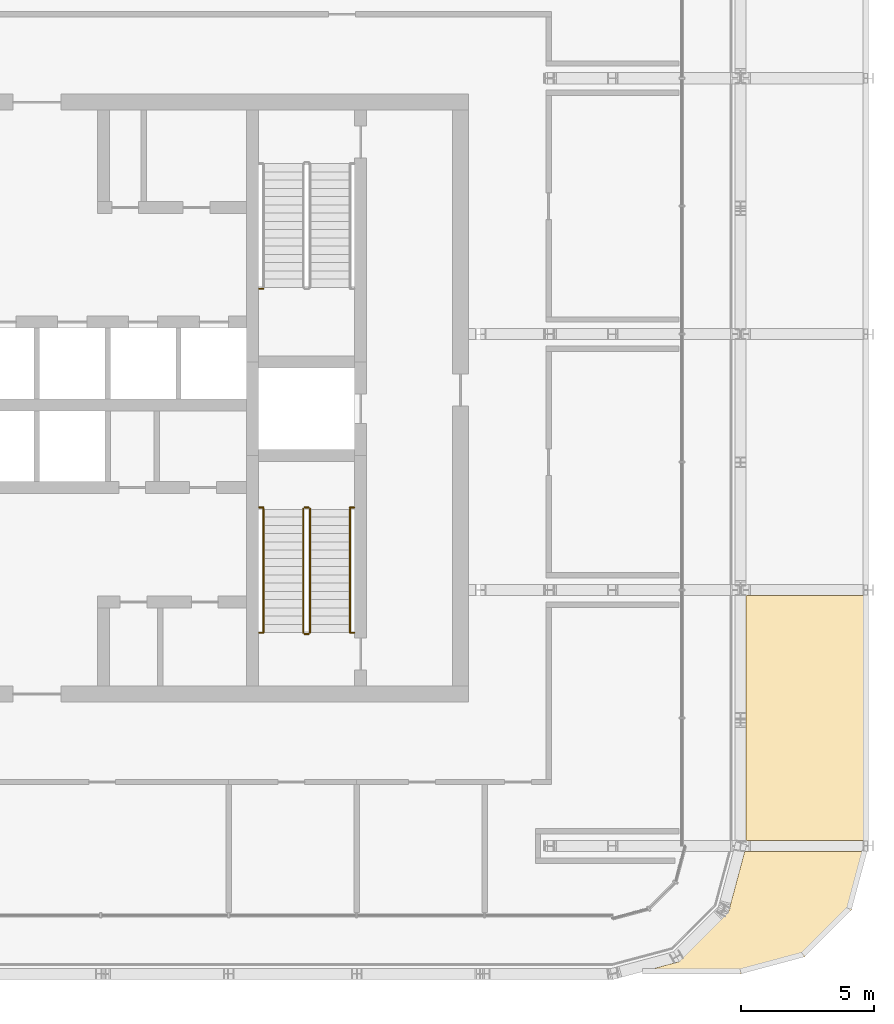
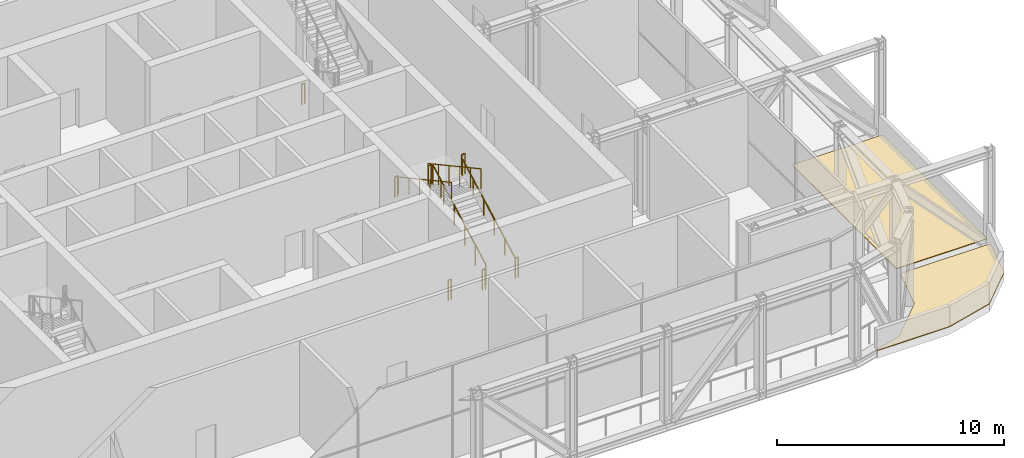
# One storey, part 24 of 26: 11 railings, 2 coverings.
"""IFC4 building model written with IfcOpenShell, lengths in metres."""

from ifc_helpers import new_model, si_unit, direction, frame, origin, origin_2d, place, context, subcontext, project, spatial, polyline, circle, outline, extrude, material, layer, layer_set, type_object, element, save


model = new_model("IFC4")

# Units and contexts
model_context = context("Model", 3, precision=1e-05, world=origin(), true_north=direction((0.0, 1.0)))
body_context = subcontext(model_context, "Body", "Model", "MODEL_VIEW")
ifc_project = project(units=[si_unit("LENGTHUNIT", "METRE"), si_unit("AREAUNIT", "SQUARE_METRE"), si_unit("VOLUMEUNIT", "CUBIC_METRE"), si_unit("PLANEANGLEUNIT", "RADIAN"), si_unit("MASSUNIT", "GRAM", prefix="KILO")], contexts=[model_context])

# Site, building, storey
site_placement = place(None, origin())
site = spatial("IfcSite", under=ifc_project, at=site_placement, CompositionType="ELEMENT")
building_placement = place(site_placement, origin())
building = spatial("IfcBuilding", under=site, at=building_placement, Name="Madar Terraces", CompositionType="ELEMENT")
storey_placement = place(building_placement, frame((0.0, 0.0, 233.300048828125)))
storey = spatial("IfcBuildingStorey", under=building, at=storey_placement, Name="L61", CompositionType="ELEMENT", Elevation=233.300048828125)

# Railings
ifc_material_1 = material(Name="Stainless steel railing", Category="steel")
railing_type_1 = type_object("IfcRailingType", Name="Stair guard 1100", PredefinedType="GUARDRAIL", material=ifc_material_1)
railing_1_placement = place(storey_placement, frame((41.449951171875, 17.60009765625, 0.168701171875)))
element("IfcRailing", 1, at=railing_1_placement, inside=storey, type_object=railing_type_1, Name="L61 ST3 stair guard 1", PredefinedType="GUARDRAIL", context=body_context, shape_type="SweptSolid", body=[
    extrude(circle(Radius=0.02392578125, at=origin_2d()), frame((0.0, 0.0, 1.076171875), z_axis=(0.0, 0.878297076953, 0.478115304728), x_axis=(-1.0, 0.0, 0.0)), (0.0, 0.0, 1.0), 5.294189453125),
    extrude(circle(Radius=0.02099609375, at=origin_2d()), origin(), (0.0, 0.0, 1.0), 1.052001953125),
    extrude(circle(Radius=0.02099609375, at=origin_2d()), frame((0.0, 0.929931640625, 0.50634765625)), (0.0, 0.0, 1.0), 1.052001953125),
    extrude(circle(Radius=0.02099609375, at=origin_2d()), frame((0.0, 1.85986328125, 1.012451171875)), (0.0, 0.0, 1.0), 1.052001953125),
    extrude(circle(Radius=0.02099609375, at=origin_2d()), frame((0.0, 2.7900390625, 1.518798828125)), (0.0, 0.0, 1.0), 1.052001953125),
    extrude(circle(Radius=0.02099609375, at=origin_2d()), frame((0.0, 3.719970703125, 2.02490234375)), (0.0, 0.0, 1.0), 1.052001953125),
    extrude(circle(Radius=0.02099609375, at=origin_2d()), frame((0.0, 4.64990234375, 2.53125)), (0.0, 0.0, 1.0), 1.052001953125),
])
railing_2_placement = place(storey_placement, frame((41.39990234375, 22.300048828125, 2.699951171875)))
element("IfcRailing", 2, at=railing_2_placement, inside=storey, type_object=railing_type_1, Name="L61 ST3 stair guard 2", PredefinedType="GUARDRAIL", context=body_context, shape_type="SweptSolid", body=[
    extrude(circle(Radius=0.02392578125, at=origin_2d()), frame((0.0, 0.0, 1.076171875), z_axis=(-1.0, 0.0, 0.0), x_axis=(0.0, -1.0, 0.0)), (0.0, 0.0, 1.0), 0.14990234375),
    extrude(circle(Radius=0.02099609375, at=origin_2d()), origin(), (0.0, 0.0, 1.0), 1.052001953125),
    extrude(circle(Radius=0.02099609375, at=origin_2d()), frame((-0.14990234375, 0.0, 0.0)), (0.0, 0.0, 1.0), 1.052001953125),
])
railing_3_placement = place(storey_placement, frame((41.199951171875, 22.25, 2.86865234375)))
element("IfcRailing", 3, at=railing_3_placement, inside=storey, type_object=railing_type_1, Name="L61 ST3 stair guard 3", PredefinedType="GUARDRAIL", context=body_context, shape_type="SweptSolid", body=[
    extrude(circle(Radius=0.02392578125, at=origin_2d()), frame((0.0, 0.0, 1.076171875), z_axis=(0.0, -0.878297076953, 0.478115304728), x_axis=(1.0, 0.0, 0.0)), (0.0, 0.0, 1.0), 5.294189453125),
    extrude(circle(Radius=0.02099609375, at=origin_2d()), origin(), (0.0, 0.0, 1.0), 1.052001953125),
    extrude(circle(Radius=0.02099609375, at=origin_2d()), frame((0.0, -0.929931640625, 0.50634765625)), (0.0, 0.0, 1.0), 1.052001953125),
    extrude(circle(Radius=0.02099609375, at=origin_2d()), frame((0.0, -1.85986328125, 1.012451171875)), (0.0, 0.0, 1.0), 1.052001953125),
    extrude(circle(Radius=0.02099609375, at=origin_2d()), frame((0.0, -2.7900390625, 1.518798828125)), (0.0, 0.0, 1.0), 1.052001953125),
    extrude(circle(Radius=0.02099609375, at=origin_2d()), frame((0.0, -3.719970703125, 2.02490234375)), (0.0, 0.0, 1.0), 1.052001953125),
    extrude(circle(Radius=0.02099609375, at=origin_2d()), frame((0.0, -4.64990234375, 2.53125)), (0.0, 0.0, 1.0), 1.052001953125),
])
railing_4_placement = place(storey_placement, frame((41.39990234375, 17.550048828125, 0.0)))
element("IfcRailing", 4, at=railing_4_placement, inside=storey, type_object=railing_type_1, Name="L61 ST3 stair guard 4", PredefinedType="GUARDRAIL", context=body_context, shape_type="SweptSolid", body=[
    extrude(circle(Radius=0.02392578125, at=origin_2d()), frame((0.0, 0.0, 1.076171875), z_axis=(-1.0, 0.0, 0.0), x_axis=(0.0, -1.0, 0.0)), (0.0, 0.0, 1.0), 0.14990234375),
    extrude(circle(Radius=0.02099609375, at=origin_2d()), origin(), (0.0, 0.0, 1.0), 1.052001953125),
    extrude(circle(Radius=0.02099609375, at=origin_2d()), frame((-0.14990234375, 0.0, 0.0)), (0.0, 0.0, 1.0), 1.052001953125),
])
for number, where, name in (
    (5, (39.544921875, 30.5, 2.699951171875), "L61 stair guard seat 1"),
    (6, (39.544921875, 22.300048828125, 2.699951171875), "L61 stair guard seat 1"),
    (7, (42.949951171875, 22.300048828125, 2.699951171875), "L61 stair guard seat 2"),
    (8, (39.544921875, 17.60009765625, 0.0), "L61 stair guard floor 1"),
    (9, (42.949951171875, 17.60009765625, 0.0), "L61 stair guard floor 2"),
):
    element("IfcRailing", number, at=place(storey_placement, frame(where)), inside=storey, type_object=railing_type_1, Name=name, PredefinedType="GUARDRAIL", context=body_context, shape_type="SweptSolid", body=[
        extrude(circle(Radius=0.02392578125, at=origin_2d()), frame((0.0, 0.0, 1.076171875), z_axis=(1.0, 0.0, 0.0), x_axis=(0.0, 1.0, 0.0)), (0.0, 0.0, 1.0), 0.155029296875),
        extrude(circle(Radius=0.02099609375, at=origin_2d()), origin(), (0.0, 0.0, 1.0), 1.052001953125),
        extrude(circle(Radius=0.02099609375, at=origin_2d()), frame((0.155029296875, 0.0, 0.0)), (0.0, 0.0, 1.0), 1.052001953125),
    ])
ifc_material_2 = material(Name="Stainless steel railing", Category="steel")
railing_type_2 = type_object("IfcRailingType", Name="Stair handrail 900", PredefinedType="HANDRAIL", material=ifc_material_2)
railing_5_placement = place(storey_placement, frame((42.949951171875, 17.60009765625, 0.168701171875)))
element("IfcRailing", 10, at=railing_5_placement, inside=storey, type_object=railing_type_2, Name="L61 ST3 stair handrail 1", PredefinedType="HANDRAIL", context=body_context, shape_type="SweptSolid", body=[
    extrude(circle(Radius=0.02392578125, at=origin_2d()), frame((0.0, 0.0, 0.8759765625), z_axis=(0.0, 0.878297076953, 0.478115304728), x_axis=(-1.0, 0.0, 0.0)), (0.0, 0.0, 1.0), 5.294189453125),
    extrude(circle(Radius=0.02099609375, at=origin_2d()), origin(), (0.0, 0.0, 1.0), 0.851806640625),
    extrude(circle(Radius=0.02099609375, at=origin_2d()), frame((0.0, 0.929931640625, 0.50634765625)), (0.0, 0.0, 1.0), 0.851806640625),
    extrude(circle(Radius=0.02099609375, at=origin_2d()), frame((0.0, 1.85986328125, 1.012451171875)), (0.0, 0.0, 1.0), 0.851806640625),
    extrude(circle(Radius=0.02099609375, at=origin_2d()), frame((0.0, 2.7900390625, 1.518798828125)), (0.0, 0.0, 1.0), 0.851806640625),
    extrude(circle(Radius=0.02099609375, at=origin_2d()), frame((0.0, 3.719970703125, 2.02490234375)), (0.0, 0.0, 1.0), 0.851806640625),
    extrude(circle(Radius=0.02099609375, at=origin_2d()), frame((0.0, 4.64990234375, 2.53125)), (0.0, 0.0, 1.0), 0.851806640625),
])
railing_6_placement = place(storey_placement, frame((39.699951171875, 22.25, 2.86865234375)))
element("IfcRailing", 11, at=railing_6_placement, inside=storey, type_object=railing_type_2, Name="L61 ST3 stair handrail 2", PredefinedType="HANDRAIL", context=body_context, shape_type="SweptSolid", body=[
    extrude(circle(Radius=0.02392578125, at=origin_2d()), frame((0.0, 0.0, 0.8759765625), z_axis=(0.0, -0.878297076953, 0.478115304728), x_axis=(1.0, 0.0, 0.0)), (0.0, 0.0, 1.0), 5.294189453125),
    extrude(circle(Radius=0.02099609375, at=origin_2d()), origin(), (0.0, 0.0, 1.0), 0.851806640625),
    extrude(circle(Radius=0.02099609375, at=origin_2d()), frame((0.0, -0.929931640625, 0.50634765625)), (0.0, 0.0, 1.0), 0.851806640625),
    extrude(circle(Radius=0.02099609375, at=origin_2d()), frame((0.0, -1.85986328125, 1.012451171875)), (0.0, 0.0, 1.0), 0.851806640625),
    extrude(circle(Radius=0.02099609375, at=origin_2d()), frame((0.0, -2.7900390625, 1.518798828125)), (0.0, 0.0, 1.0), 0.851806640625),
    extrude(circle(Radius=0.02099609375, at=origin_2d()), frame((0.0, -3.719970703125, 2.02490234375)), (0.0, 0.0, 1.0), 0.851806640625),
    extrude(circle(Radius=0.02099609375, at=origin_2d()), frame((0.0, -4.64990234375, 2.53125)), (0.0, 0.0, 1.0), 0.851806640625),
])

# Coverings
ifc_material_3 = material(Name="Porcelain paving slabs on pedestals")
ifc_layer = layer(ifc_material_3, 0.0400390625)
ifc_layer_set = layer_set([ifc_layer], Name="Terrace paving 40")
covering_type = type_object("IfcCoveringType", Name="Terrace paving 40", PredefinedType="FLOORING", material=ifc_layer_set)
covering_1_placement = place(storey_placement, origin())
element("IfcCovering", 12, at=covering_1_placement, inside=storey, type_object=covering_type, Name="Terrace paving", PredefinedType="FLOORING", context=body_context, shape_type="SweptSolid", body=[
    extrude(outline(polyline([(57.139404296875, 7.09326171875), (57.14013671875, 7.09423828125), (57.140625, 7.095458984375), (57.7470703125, 9.3583984375), (57.74853515625, 9.36328125), (57.75048828125, 9.367919921875), (57.7529296875, 9.372314453125), (57.755859375, 9.37646484375), (57.75927734375, 9.380126953125), (57.762939453125, 9.383544921875), (57.766845703125, 9.38671875), (57.77099609375, 9.389404296875), (57.775634765625, 9.3916015625), (57.780517578125, 9.393310546875), (57.785400390625, 9.39453125), (57.790283203125, 9.395263671875), (57.79541015625, 9.3955078125), (62.280029296875, 9.3955078125), (62.284912109375, 9.395263671875), (62.28955078125, 9.39453125), (62.294189453125, 9.3935546875), (62.298828125, 9.391845703125), (62.30322265625, 9.389892578125), (62.307373046875, 9.387451171875), (62.311279296875, 9.384521484375), (62.31494140625, 9.38134765625), (62.318115234375, 9.377685546875), (62.321044921875, 9.3740234375), (62.32373046875, 9.369873046875), (62.32568359375, 9.365478515625), (62.32763671875, 9.361083984375), (62.328857421875, 9.3564453125), (62.32958984375, 9.351806640625), (62.330078125, 9.346923828125), (62.329833984375, 9.342041015625), (62.329345703125, 9.33740234375), (62.328369140625, 9.33251953125), (61.760498046875, 7.212890625), (61.7587890625, 7.2080078125), (61.756591796875, 7.203125), (61.75390625, 7.198486328125), (61.7509765625, 7.1943359375), (61.747314453125, 7.1904296875), (60.009521484375, 5.45263671875), (60.005615234375, 5.448974609375), (60.00146484375, 5.446044921875), (59.996826171875, 5.443359375), (59.991943359375, 5.441162109375), (59.987060546875, 5.439697265625), (57.6064453125, 4.8017578125), (57.60205078125, 4.80078125), (57.597900390625, 4.80029296875), (57.593505859375, 4.800048828125), (53.9697265625, 4.800048828125), (53.96484375, 4.80029296875), (53.9599609375, 4.801025390625), (53.955078125, 4.80224609375), (53.950439453125, 4.803955078125), (53.946044921875, 4.805908203125), (53.941650390625, 4.80859375), (53.937744140625, 4.8115234375), (53.93408203125, 4.81494140625), (53.930908203125, 4.818603515625), (53.927978515625, 4.82275390625), (53.92529296875, 4.826904296875), (53.92333984375, 4.83154296875), (53.921630859375, 4.836181640625), (53.920654296875, 4.841064453125), (53.919921875, 4.845947265625), (53.919921875, 4.850830078125), (53.920166015625, 4.85595703125), (53.9208984375, 4.860595703125), (53.92236328125, 4.865478515625), (53.924072265625, 4.8701171875), (53.92626953125, 4.87451171875), (53.928955078125, 4.87890625), (53.931884765625, 4.8828125), (53.935302734375, 4.88623046875), (53.939208984375, 4.889404296875), (53.943359375, 4.892333984375), (53.947509765625, 4.894775390625), (53.9521484375, 4.896728515625), (53.956787109375, 4.898193359375), (55.3046875, 5.259521484375), (55.305908203125, 5.259765625), (55.306884765625, 5.2607421875), (57.139404296875, 7.09326171875)])), origin(), (0.0, 0.0, 1.0), 0.0400390625),
])
covering_2_placement = place(storey_placement, origin())
element("IfcCovering", 13, at=covering_2_placement, inside=storey, type_object=covering_type, Name="Terrace paving", PredefinedType="FLOORING", context=body_context, shape_type="SweptSolid", body=[
    extrude(outline(polyline([(62.397705078125, 9.840087890625), (62.396240234375, 9.835205078125), (62.39404296875, 9.830810546875), (62.3916015625, 9.82666015625), (62.388671875, 9.82275390625), (62.385498046875, 9.819091796875), (62.381591796875, 9.81591796875), (62.377685546875, 9.81298828125), (62.37353515625, 9.810302734375), (62.369140625, 9.808349609375), (62.364501953125, 9.806640625), (62.35986328125, 9.805419921875), (62.35498046875, 9.8046875), (62.35009765625, 9.804443359375), (57.8544921875, 9.804443359375), (57.849609375, 9.8046875), (57.8447265625, 9.805419921875), (57.840087890625, 9.806640625), (57.835205078125, 9.808349609375), (57.830810546875, 9.810302734375), (57.82666015625, 9.81298828125), (57.82275390625, 9.81591796875), (57.819091796875, 9.819091796875), (57.81591796875, 9.82275390625), (57.81298828125, 9.82666015625), (57.810302734375, 9.830810546875), (57.808349609375, 9.835205078125), (57.806640625, 9.840087890625), (57.805419921875, 9.8447265625), (57.8046875, 9.849609375), (57.804443359375, 9.8544921875), (57.804443359375, 18.945556640625), (57.8046875, 18.950439453125), (57.805419921875, 18.955322265625), (57.806640625, 18.9599609375), (57.808349609375, 18.964599609375), (57.810302734375, 18.968994140625), (57.81298828125, 18.973388671875), (57.81591796875, 18.977294921875), (57.819091796875, 18.98095703125), (57.82275390625, 18.984130859375), (57.82666015625, 18.987060546875), (57.830810546875, 18.989501953125), (57.835205078125, 18.99169921875), (57.840087890625, 18.993408203125), (57.8447265625, 18.99462890625), (57.849609375, 18.995361328125), (57.8544921875, 18.99560546875), (62.35009765625, 18.99560546875), (62.35498046875, 18.995361328125), (62.35986328125, 18.99462890625), (62.364501953125, 18.993408203125), (62.369140625, 18.99169921875), (62.37353515625, 18.989501953125), (62.377685546875, 18.987060546875), (62.381591796875, 18.984130859375), (62.385498046875, 18.98095703125), (62.388671875, 18.977294921875), (62.3916015625, 18.973388671875), (62.39404296875, 18.968994140625), (62.396240234375, 18.964599609375), (62.397705078125, 18.9599609375), (62.39892578125, 18.955322265625), (62.39990234375, 18.950439453125), (62.39990234375, 18.945556640625), (62.39990234375, 9.8544921875), (62.39990234375, 9.849609375), (62.39892578125, 9.8447265625), (62.397705078125, 9.840087890625)])), origin(), (0.0, 0.0, 1.0), 0.0400390625),
])

save(model, "model.ifc")
